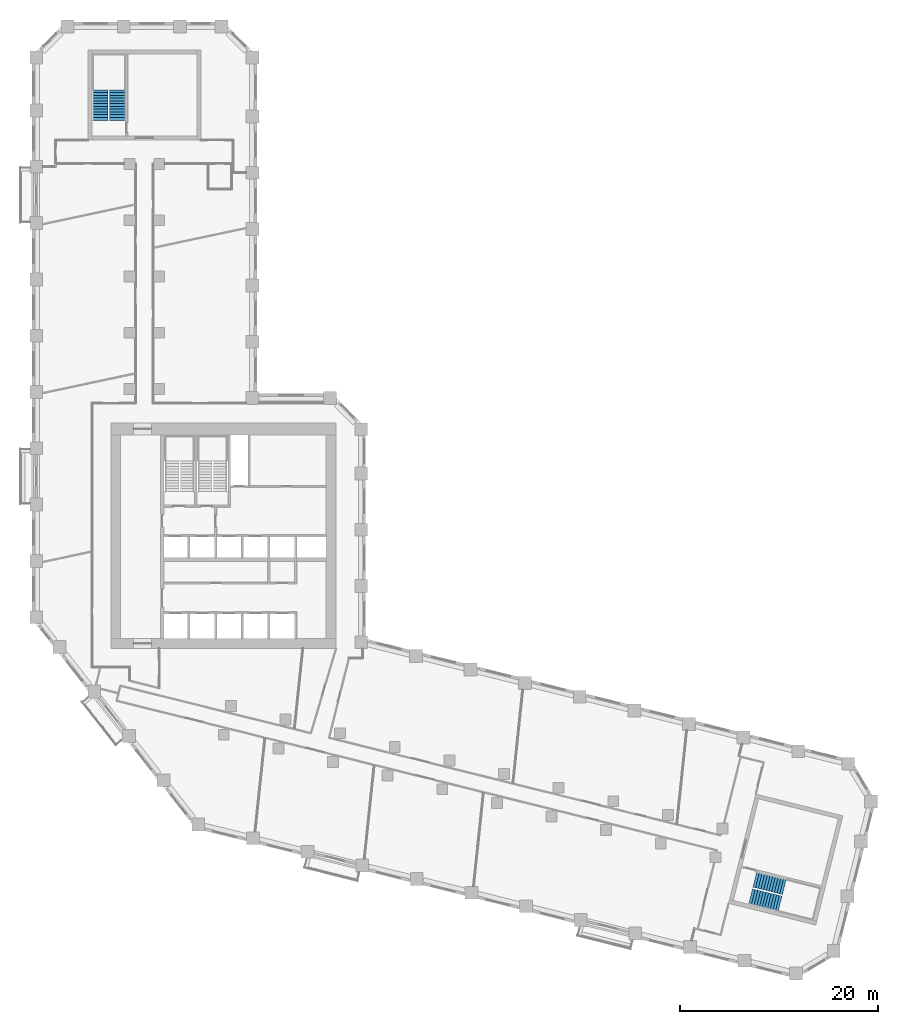
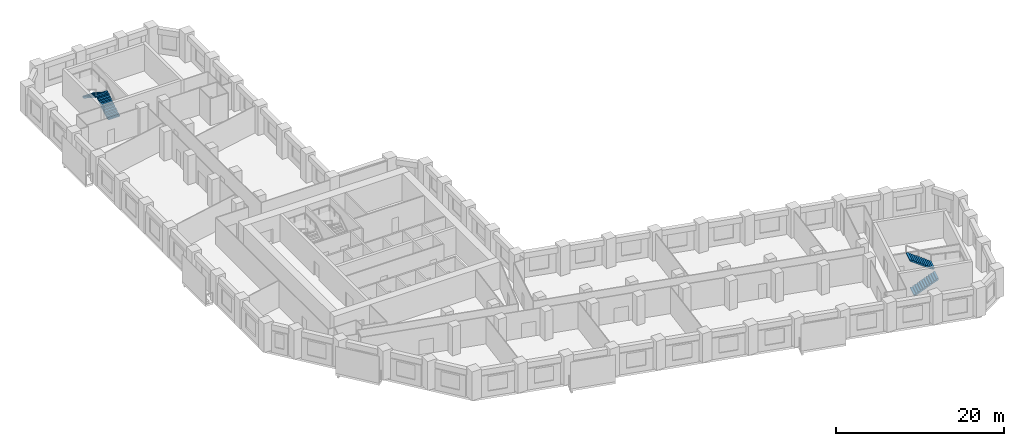
# One storey, part 10 of 11: 4 stair flights, 2 elements without a shape of their own.
"""IFC4 building model written with IfcOpenShell, lengths in metres."""

from ifc_helpers import new_model, si_unit, direction, frame, origin, place, context, subcontext, project, spatial, polyline, outline, extrude, material, type_object, element, aggregate, save


model = new_model("IFC4")

# Units and contexts
model_context = context("Model", 3, precision=1e-05, world=origin(), true_north=direction((0.0, 1.0)))
body_context = subcontext(model_context, "Body", "Model", "MODEL_VIEW")
ifc_project = project(units=[si_unit("LENGTHUNIT", "METRE"), si_unit("AREAUNIT", "SQUARE_METRE"), si_unit("VOLUMEUNIT", "CUBIC_METRE"), si_unit("PLANEANGLEUNIT", "RADIAN"), si_unit("MASSUNIT", "GRAM", prefix="KILO")], contexts=[model_context])

# Site, building, storey
site_placement = place(None, origin())
site = spatial("IfcSite", under=ifc_project, at=site_placement, CompositionType="ELEMENT")
building_placement = place(site_placement, origin())
building = spatial("IfcBuilding", under=site, at=building_placement, Name="Meshkara Civic Tower", CompositionType="ELEMENT")
storey_placement = place(building_placement, frame((0.0, 0.0, 143.39990234375)))
storey = spatial("IfcBuildingStorey", under=building, at=storey_placement, Name="L32", CompositionType="ELEMENT", Elevation=143.39990234375)

# Stair, stair flights
ifc_material_1 = material(Name="Precast concrete C40/50", Category="concrete")
stair_type = type_object("IfcStairType", Name="Exit stair half-turn 24 risers 1600 precast", PredefinedType="HALF_TURN_STAIR", material=ifc_material_1)
stair_1_placement = place(storey_placement, origin())
stair_1 = element("IfcStair", 1, at=stair_1_placement, inside=storey, type_object=stair_type, Name="L32 exit stair A from L20", PredefinedType="HALF_TURN_STAIR")
ifc_material_2 = material(Name="Precast concrete C40/50", Category="concrete")
stair_flight_type = type_object("IfcStairFlightType", Name="Exit stair flight 12 risers 1600 precast", PredefinedType="STRAIGHT", material=ifc_material_2)
stair_flight_1_placement = place(storey_placement, frame((8.675048828125, 67.570068359375, 0.0), z_axis=(0.0, 0.0, 1.0), x_axis=(0.0, 1.0, 0.0)))
stair_flight_1 = element("IfcStairFlight", 2, at=stair_flight_1_placement, type_object=stair_flight_type, Name="ESA2 flight 1", NumberOfRisers=12, NumberOfTreads=11, PredefinedType="STRAIGHT", RiserHeight=0.175, TreadLength=0.28, context=body_context, shape_type="SweptSolid", body=[
    extrude(outline(polyline([(0.0, 0.0), (0.0, 0.175048828125), (0.280029296875, 0.175048828125), (0.280029296875, 0.35009765625), (0.56005859375, 0.35009765625), (0.56005859375, 0.52490234375), (0.840087890625, 0.52490234375), (0.840087890625, 0.699951171875), (1.1201171875, 0.699951171875), (1.1201171875, 0.875), (1.39990234375, 0.875), (1.39990234375, 1.050048828125), (1.679931640625, 1.050048828125), (1.679931640625, 1.22509765625), (1.9599609375, 1.22509765625), (1.9599609375, 1.39990234375), (2.239990234375, 1.39990234375), (2.239990234375, 1.574951171875), (2.52001953125, 1.574951171875), (2.52001953125, 1.75), (2.800048828125, 1.75), (2.800048828125, 1.925048828125), (3.080078125, 1.925048828125), (3.080078125, 2.10009765625), (3.080078125, 1.748291015625), (0.28271484375, 0.0), (0.0, 0.0)])), frame((0.0, 0.800048828125, 0.0), z_axis=(0.0, -1.0, 0.0), x_axis=(1.0, 0.0, 0.0)), (0.0, 0.0, 1.0), 1.60009765625),
])
stair_flight_2_placement = place(storey_placement, frame((6.925048828125, 70.64990234375, 2.10009765625), z_axis=(0.0, 0.0, 1.0), x_axis=(0.0, -1.0, 0.0)))
stair_flight_2 = element("IfcStairFlight", 3, at=stair_flight_2_placement, type_object=stair_flight_type, Name="ESA2 flight 2", NumberOfRisers=12, NumberOfTreads=11, PredefinedType="STRAIGHT", RiserHeight=0.175, TreadLength=0.28, context=body_context, shape_type="SweptSolid", body=[
    extrude(outline(polyline([(0.0, 0.0), (0.0, 0.175048828125), (0.280029296875, 0.175048828125), (0.280029296875, 0.35009765625), (0.56005859375, 0.35009765625), (0.56005859375, 0.52490234375), (0.840087890625, 0.52490234375), (0.840087890625, 0.699951171875), (1.1201171875, 0.699951171875), (1.1201171875, 0.875), (1.39990234375, 0.875), (1.39990234375, 1.050048828125), (1.679931640625, 1.050048828125), (1.679931640625, 1.22509765625), (1.9599609375, 1.22509765625), (1.9599609375, 1.39990234375), (2.239990234375, 1.39990234375), (2.239990234375, 1.574951171875), (2.52001953125, 1.574951171875), (2.52001953125, 1.75), (2.800048828125, 1.75), (2.800048828125, 1.925048828125), (3.080078125, 1.925048828125), (3.080078125, 2.10009765625), (3.080078125, 1.748291015625), (0.28271484375, 0.0), (0.0, 0.0)])), frame((0.0, 0.800048828125, 0.0), z_axis=(0.0, -1.0, 0.0), x_axis=(1.0, 0.0, 0.0)), (0.0, 0.0, 1.0), 1.60009765625),
])
aggregate(stair_1, [stair_flight_1, stair_flight_2])

stair_2_placement = place(storey_placement, origin())
stair_2 = element("IfcStair", 4, at=stair_2_placement, inside=storey, type_object=stair_type, Name="L32 exit stair B from L20", PredefinedType="HALF_TURN_STAIR")
stair_flight_3_placement = place(storey_placement, frame((72.7685546875, -11.00634765625, 0.0), z_axis=(0.0, 0.0, 1.0), x_axis=(0.970260066579, -0.242064873955, 0.0)))
stair_flight_3 = element("IfcStairFlight", 5, at=stair_flight_3_placement, type_object=stair_flight_type, Name="ESB2 flight 1", NumberOfRisers=12, NumberOfTreads=11, PredefinedType="STRAIGHT", RiserHeight=0.175, TreadLength=0.28, context=body_context, shape_type="SweptSolid", body=[
    extrude(outline(polyline([(0.0, 0.0), (0.0, 0.175048828125), (0.280029296875, 0.175048828125), (0.280029296875, 0.35009765625), (0.56005859375, 0.35009765625), (0.56005859375, 0.52490234375), (0.840087890625, 0.52490234375), (0.840087890625, 0.699951171875), (1.1201171875, 0.699951171875), (1.1201171875, 0.875), (1.39990234375, 0.875), (1.39990234375, 1.050048828125), (1.679931640625, 1.050048828125), (1.679931640625, 1.22509765625), (1.9599609375, 1.22509765625), (1.9599609375, 1.39990234375), (2.239990234375, 1.39990234375), (2.239990234375, 1.574951171875), (2.52001953125, 1.574951171875), (2.52001953125, 1.75), (2.800048828125, 1.75), (2.800048828125, 1.925048828125), (3.080078125, 1.925048828125), (3.080078125, 2.10009765625), (3.080078125, 1.748291015625), (0.28271484375, 0.0), (0.0, 0.0)])), frame((0.0, 0.800048828125, 0.0), z_axis=(0.0, -1.0, 0.0), x_axis=(1.0, 0.0, 0.0)), (0.0, 0.0, 1.0), 1.60009765625),
])
stair_flight_4_placement = place(storey_placement, frame((76.1806640625, -10.053955078125, 2.10009765625), z_axis=(0.0, 0.0, 1.0), x_axis=(-0.970260066579, 0.242064873955, 0.0)))
stair_flight_4 = element("IfcStairFlight", 6, at=stair_flight_4_placement, type_object=stair_flight_type, Name="ESB2 flight 2", NumberOfRisers=12, NumberOfTreads=11, PredefinedType="STRAIGHT", RiserHeight=0.175, TreadLength=0.28, context=body_context, shape_type="SweptSolid", body=[
    extrude(outline(polyline([(0.0, 0.0), (0.0, 0.175048828125), (0.280029296875, 0.175048828125), (0.280029296875, 0.35009765625), (0.56005859375, 0.35009765625), (0.56005859375, 0.52490234375), (0.840087890625, 0.52490234375), (0.840087890625, 0.699951171875), (1.1201171875, 0.699951171875), (1.1201171875, 0.875), (1.39990234375, 0.875), (1.39990234375, 1.050048828125), (1.679931640625, 1.050048828125), (1.679931640625, 1.22509765625), (1.9599609375, 1.22509765625), (1.9599609375, 1.39990234375), (2.239990234375, 1.39990234375), (2.239990234375, 1.574951171875), (2.52001953125, 1.574951171875), (2.52001953125, 1.75), (2.800048828125, 1.75), (2.800048828125, 1.925048828125), (3.080078125, 1.925048828125), (3.080078125, 2.10009765625), (3.080078125, 1.748291015625), (0.28271484375, 0.0), (0.0, 0.0)])), frame((0.0, 0.800048828125, 0.0), z_axis=(0.0, -1.0, 0.0), x_axis=(1.0, 0.0, 0.0)), (0.0, 0.0, 1.0), 1.60009765625),
])
aggregate(stair_2, [stair_flight_3, stair_flight_4])

save(model, "model.ifc")
